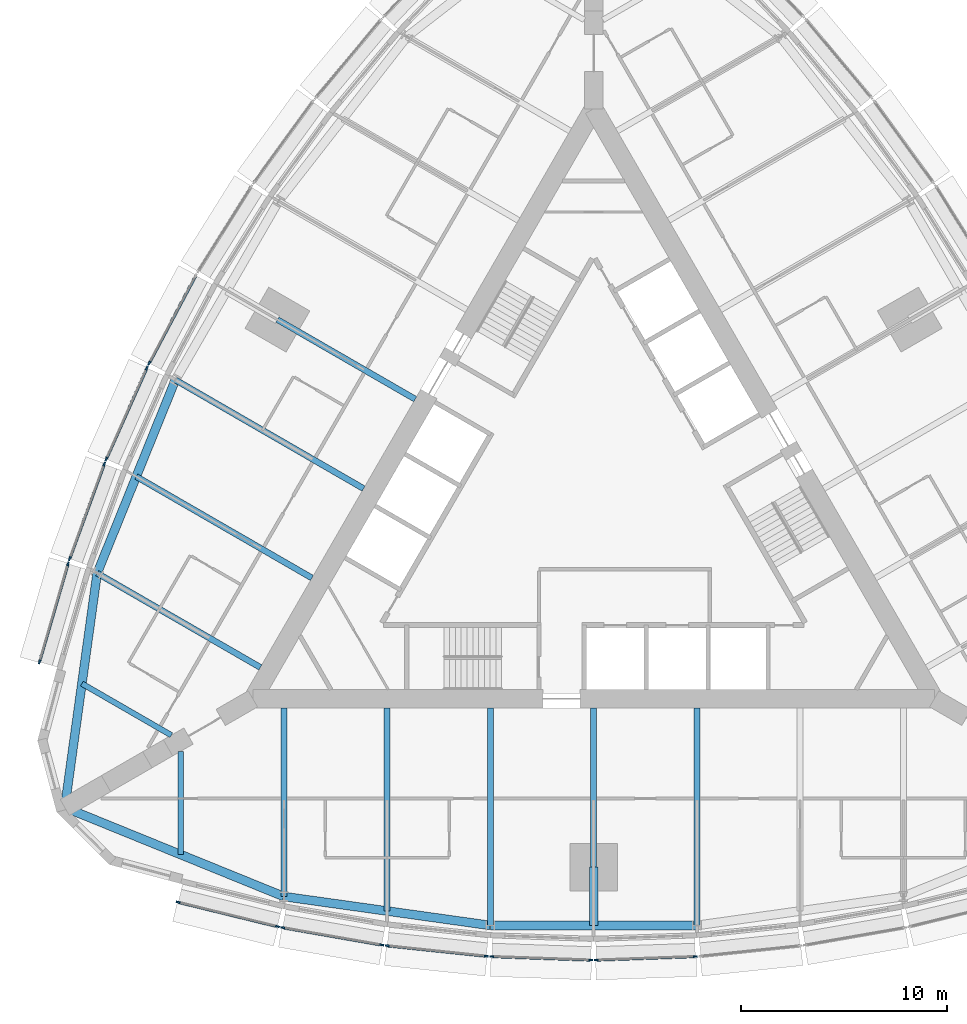
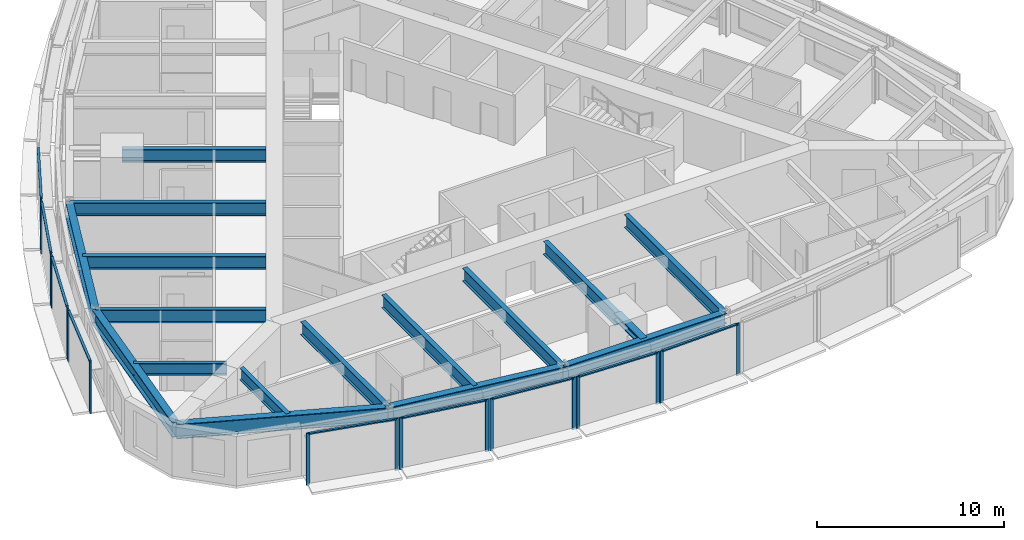
# One storey, part 2 of 14: 26 members, 17 beams, 9 elements without a shape of their own.
"""IFC4 building model written with IfcOpenShell, lengths in metres."""

from ifc_helpers import new_model, si_unit, direction, frame, origin, origin_2d, place, context, subcontext, project, spatial, rectangle, i_section, extrude, material, material_profile, profile_set, type_object, element, aggregate, save


model = new_model("IFC4")

# Units and contexts
model_context = context("Model", 3, precision=1e-05, world=origin(), true_north=direction((0.0, 1.0)))
body_context = subcontext(model_context, "Body", "Model", "MODEL_VIEW")
ifc_project = project(units=[si_unit("LENGTHUNIT", "METRE"), si_unit("AREAUNIT", "SQUARE_METRE"), si_unit("VOLUMEUNIT", "CUBIC_METRE"), si_unit("PLANEANGLEUNIT", "RADIAN"), si_unit("MASSUNIT", "GRAM", prefix="KILO")], contexts=[model_context])

# Site, building, storey
site_placement = place(None, origin())
site = spatial("IfcSite", under=ifc_project, at=site_placement, CompositionType="ELEMENT")
building_placement = place(site_placement, origin())
building = spatial("IfcBuilding", under=site, at=building_placement, Name="Trikona Tower", CompositionType="ELEMENT")
storey_placement = place(building_placement, frame((0.0, 0.0, 182.699951171875)))
storey = spatial("IfcBuildingStorey", under=building, at=storey_placement, Name="L49", CompositionType="ELEMENT", Elevation=182.699951171875)

# Curtain wall, members
ifc_material_1 = material(Name="Aluminium curtain wall system", Category="aluminium")
curtain_wall_type = type_object("IfcCurtainWallType", Name="Curtain wall DS2", PredefinedType="NOTDEFINED", material=ifc_material_1)
curtain_wall_1_placement = place(storey_placement, origin())
curtain_wall_1 = element("IfcCurtainWall", 1, at=curtain_wall_1_placement, inside=storey, type_object=curtain_wall_type, Name="Curtain wall DS2 L49", PredefinedType="NOTDEFINED")
ifc_material_2 = material(Name="Aluminium mullion, pale anodised", Category="aluminium")
ifc_material_profile_1 = material_profile(ifc_material_2, rectangle(XDim=0.080078125, YDim=0.199951171875, at=origin_2d()), Name="MUL-DS2")
ifc_profile_set_1 = profile_set([ifc_material_profile_1], Name="Aluminium mullion, pale anodised")
member_type_1 = type_object("IfcMemberType", Name="Mullion DS2 80x200", PredefinedType="MULLION", material=ifc_profile_set_1)
member_1_placement = place(storey_placement, frame((-20.116943359375, -19.373046875, 0.0), z_axis=(0.0, 0.0, 1.0), x_axis=(0.237970204243, 0.971272455026, 0.0)))
member_1 = element("IfcMember", 2, at=member_1_placement, type_object=member_type_1, Name="CW-DS2 mullion 1", PredefinedType="MULLION", context=body_context, shape_type="SweptSolid", body=[
    extrude(rectangle(XDim=0.080078125, YDim=0.199951171875, at=origin_2d()), origin(), (0.0, 0.0, 1.0), 3.400146484375),
])
member_2_placement = place(storey_placement, frame((-15.311279296875, -20.550537109375, 0.0), z_axis=(0.0, 0.0, 1.0), x_axis=(0.237970204243, 0.971272455026, 0.0)))
member_2 = element("IfcMember", 3, at=member_2_placement, type_object=member_type_1, Name="CW-DS2 mullion 2", PredefinedType="MULLION", context=body_context, shape_type="SweptSolid", body=[
    extrude(rectangle(XDim=0.080078125, YDim=0.199951171875, at=origin_2d()), origin(), (0.0, 0.0, 1.0), 3.400146484375),
])

curtain_wall_2_placement = place(storey_placement, origin())
curtain_wall_2 = element("IfcCurtainWall", 4, at=curtain_wall_2_placement, inside=storey, type_object=curtain_wall_type, Name="Curtain wall DS2 L49", PredefinedType="NOTDEFINED")
member_3_placement = place(storey_placement, frame((-15.056640625, -20.60400390625, 0.0), z_axis=(0.0, 0.0, 1.0), x_axis=(0.17237739505, 0.985030981074, 0.0)))
member_3 = element("IfcMember", 5, at=member_3_placement, type_object=member_type_1, Name="CW-DS2 mullion 1", PredefinedType="MULLION", context=body_context, shape_type="SweptSolid", body=[
    extrude(rectangle(XDim=0.080078125, YDim=0.199951171875, at=origin_2d()), origin(), (0.0, 0.0, 1.0), 3.400146484375),
])
member_4_placement = place(storey_placement, frame((-10.253662109375, -21.444580078125, 0.0), z_axis=(0.0, 0.0, 1.0), x_axis=(0.17237739505, 0.985030981074, 0.0)))
member_4 = element("IfcMember", 6, at=member_4_placement, type_object=member_type_1, Name="CW-DS2 mullion 2", PredefinedType="MULLION", context=body_context, shape_type="SweptSolid", body=[
    extrude(rectangle(XDim=0.080078125, YDim=0.199951171875, at=origin_2d()), origin(), (0.0, 0.0, 1.0), 3.400146484375),
])

curtain_wall_3_placement = place(storey_placement, origin())
curtain_wall_3 = element("IfcCurtainWall", 7, at=curtain_wall_3_placement, inside=storey, type_object=curtain_wall_type, Name="Curtain wall DS2 L49", PredefinedType="NOTDEFINED")
member_5_placement = place(storey_placement, frame((-9.99462890625, -21.480712890625, 0.0), z_axis=(0.0, 0.0, 1.0), x_axis=(0.104433387357, 0.994531883654, 0.0)))
member_5 = element("IfcMember", 8, at=member_5_placement, type_object=member_type_1, Name="CW-DS2 mullion 1", PredefinedType="MULLION", context=body_context, shape_type="SweptSolid", body=[
    extrude(rectangle(XDim=0.080078125, YDim=0.199951171875, at=origin_2d()), origin(), (0.0, 0.0, 1.0), 3.400146484375),
])
member_6_placement = place(storey_placement, frame((-5.193359375, -21.98486328125, 0.0), z_axis=(0.0, 0.0, 1.0), x_axis=(0.104433387357, 0.994531883654, 0.0)))
member_6 = element("IfcMember", 9, at=member_6_placement, type_object=member_type_1, Name="CW-DS2 mullion 2", PredefinedType="MULLION", context=body_context, shape_type="SweptSolid", body=[
    extrude(rectangle(XDim=0.080078125, YDim=0.199951171875, at=origin_2d()), origin(), (0.0, 0.0, 1.0), 3.400146484375),
])

curtain_wall_4_placement = place(storey_placement, origin())
curtain_wall_4 = element("IfcCurtainWall", 10, at=curtain_wall_4_placement, inside=storey, type_object=curtain_wall_type, Name="Curtain wall DS2 L49", PredefinedType="NOTDEFINED")
member_7_placement = place(storey_placement, frame((-4.931640625, -22.003173828125, 0.0), z_axis=(0.0, 0.0, 1.0), x_axis=(0.034998320052, 0.99938737114, 0.0)))
member_7 = element("IfcMember", 11, at=member_7_placement, type_object=member_type_1, Name="CW-DS2 mullion 1", PredefinedType="MULLION", context=body_context, shape_type="SweptSolid", body=[
    extrude(rectangle(XDim=0.080078125, YDim=0.199951171875, at=origin_2d()), origin(), (0.0, 0.0, 1.0), 3.400146484375),
])
member_8_placement = place(storey_placement, frame((-0.13134765625, -22.171142578125, 0.0), z_axis=(0.0, 0.0, 1.0), x_axis=(0.034998320052, 0.99938737114, 0.0)))
member_8 = element("IfcMember", 12, at=member_8_placement, type_object=member_type_1, Name="CW-DS2 mullion 2", PredefinedType="MULLION", context=body_context, shape_type="SweptSolid", body=[
    extrude(rectangle(XDim=0.080078125, YDim=0.199951171875, at=origin_2d()), origin(), (0.0, 0.0, 1.0), 3.400146484375),
])

curtain_wall_5_placement = place(storey_placement, origin())
curtain_wall_5 = element("IfcCurtainWall", 13, at=curtain_wall_5_placement, inside=storey, type_object=curtain_wall_type, Name="Curtain wall DS2 L49", PredefinedType="NOTDEFINED")
member_9_placement = place(storey_placement, frame((0.13134765625, -22.171142578125, 0.0), z_axis=(0.0, 0.0, 1.0), x_axis=(-0.034998320052, 0.99938737114, 0.0)))
member_9 = element("IfcMember", 14, at=member_9_placement, type_object=member_type_1, Name="CW-DS2 mullion 1", PredefinedType="MULLION", context=body_context, shape_type="SweptSolid", body=[
    extrude(rectangle(XDim=0.080078125, YDim=0.199951171875, at=origin_2d()), origin(), (0.0, 0.0, 1.0), 3.400146484375),
])
member_10_placement = place(storey_placement, frame((4.931640625, -22.003173828125, 0.0), z_axis=(0.0, 0.0, 1.0), x_axis=(-0.034998320052, 0.99938737114, 0.0)))
member_10 = element("IfcMember", 15, at=member_10_placement, type_object=member_type_1, Name="CW-DS2 mullion 2", PredefinedType="MULLION", context=body_context, shape_type="SweptSolid", body=[
    extrude(rectangle(XDim=0.080078125, YDim=0.199951171875, at=origin_2d()), origin(), (0.0, 0.0, 1.0), 3.400146484375),
])

# Curtain wall, member
curtain_wall_6_placement = place(storey_placement, origin())
curtain_wall_6 = element("IfcCurtainWall", 16, at=curtain_wall_6_placement, inside=storey, type_object=curtain_wall_type, Name="Curtain wall DS2 L49", PredefinedType="NOTDEFINED")
member_11_placement = place(storey_placement, frame((-21.52099609375, 6.730712890625, 0.0), z_axis=(0.0, 0.0, 1.0), x_axis=(0.882996107343, -0.469380308937, 0.0)))
member_11 = element("IfcMember", 17, at=member_11_placement, type_object=member_type_1, Name="CW-DS2 mullion 2", PredefinedType="MULLION", context=body_context, shape_type="SweptSolid", body=[
    extrude(rectangle(XDim=0.080078125, YDim=0.199951171875, at=origin_2d()), origin(), (0.0, 0.0, 1.0), 3.400146484375),
])

# Curtain wall, members
curtain_wall_7_placement = place(storey_placement, origin())
curtain_wall_7 = element("IfcCurtainWall", 18, at=curtain_wall_7_placement, inside=storey, type_object=curtain_wall_type, Name="Curtain wall DS2 L49", PredefinedType="NOTDEFINED")
member_12_placement = place(storey_placement, frame((-21.63623046875, 6.494873046875, 0.0), z_axis=(0.0, 0.0, 1.0), x_axis=(0.913501208767, -0.406836013132, 0.0)))
member_12 = element("IfcMember", 19, at=member_12_placement, type_object=member_type_1, Name="CW-DS2 mullion 1", PredefinedType="MULLION", context=body_context, shape_type="SweptSolid", body=[
    extrude(rectangle(XDim=0.080078125, YDim=0.199951171875, at=origin_2d()), origin(), (0.0, 0.0, 1.0), 3.400146484375),
])
member_13_placement = place(storey_placement, frame((-23.60009765625, 2.0849609375, 0.0), z_axis=(0.0, 0.0, 1.0), x_axis=(0.913501208767, -0.406836013132, 0.0)))
member_13 = element("IfcMember", 20, at=member_13_placement, type_object=member_type_1, Name="CW-DS2 mullion 2", PredefinedType="MULLION", context=body_context, shape_type="SweptSolid", body=[
    extrude(rectangle(XDim=0.080078125, YDim=0.199951171875, at=origin_2d()), origin(), (0.0, 0.0, 1.0), 3.400146484375),
])

curtain_wall_8_placement = place(storey_placement, origin())
curtain_wall_8 = element("IfcCurtainWall", 21, at=curtain_wall_8_placement, inside=storey, type_object=curtain_wall_type, Name="Curtain wall DS2 L49", PredefinedType="NOTDEFINED")
member_14_placement = place(storey_placement, frame((-23.6982421875, 1.84228515625, 0.0), z_axis=(0.0, 0.0, 1.0), x_axis=(0.939253790978, -0.343223420143, 0.0)))
member_14 = element("IfcMember", 22, at=member_14_placement, type_object=member_type_1, Name="CW-DS2 mullion 1", PredefinedType="MULLION", context=body_context, shape_type="SweptSolid", body=[
    extrude(rectangle(XDim=0.080078125, YDim=0.199951171875, at=origin_2d()), origin(), (0.0, 0.0, 1.0), 3.400146484375),
])
member_15_placement = place(storey_placement, frame((-25.371826171875, -2.737548828125, 0.0), z_axis=(0.0, 0.0, 1.0), x_axis=(0.939253790978, -0.343223420143, 0.0)))
member_15 = element("IfcMember", 23, at=member_15_placement, type_object=member_type_1, Name="CW-DS2 mullion 2", PredefinedType="MULLION", context=body_context, shape_type="SweptSolid", body=[
    extrude(rectangle(XDim=0.080078125, YDim=0.199951171875, at=origin_2d()), origin(), (0.0, 0.0, 1.0), 3.400146484375),
])

curtain_wall_9_placement = place(storey_placement, origin())
curtain_wall_9 = element("IfcCurtainWall", 24, at=curtain_wall_9_placement, inside=storey, type_object=curtain_wall_type, Name="Curtain wall DS2 L49", PredefinedType="NOTDEFINED")
member_16_placement = place(storey_placement, frame((-25.452880859375, -2.984619140625, 0.0), z_axis=(0.0, 0.0, 1.0), x_axis=(0.96013310152, -0.279543247757, 0.0)))
member_16 = element("IfcMember", 25, at=member_16_placement, type_object=member_type_1, Name="CW-DS2 mullion 1", PredefinedType="MULLION", context=body_context, shape_type="SweptSolid", body=[
    extrude(rectangle(XDim=0.080078125, YDim=0.199951171875, at=origin_2d()), origin(), (0.0, 0.0, 1.0), 3.400146484375),
])
member_17_placement = place(storey_placement, frame((-26.836181640625, -7.7353515625, 0.0), z_axis=(0.0, 0.0, 1.0), x_axis=(0.96013310152, -0.279543247757, 0.0)))
member_17 = element("IfcMember", 26, at=member_17_placement, type_object=member_type_1, Name="CW-DS2 mullion 2", PredefinedType="MULLION", context=body_context, shape_type="SweptSolid", body=[
    extrude(rectangle(XDim=0.080078125, YDim=0.199951171875, at=origin_2d()), origin(), (0.0, 0.0, 1.0), 3.400146484375),
])

# Beams
ifc_material_3 = material(Name="Steel ASTM A992 Grade 50", Category="steel")
ifc_material_profile_2 = material_profile(ifc_material_3, i_section(OverallWidth=0.419189453125, OverallDepth=0.45458984375, WebThickness=0.042236328125, FlangeThickness=0.067626953125, at=origin_2d()), Name="W14X370")
ifc_profile_set_2 = profile_set([ifc_material_profile_2], Name="Steel ASTM A992 Grade 50")
beam_type_1 = type_object("IfcBeamType", Name="Steel beam W14x370 (apex bracket)", PredefinedType="BEAM", material=ifc_profile_set_2)
beam_1_placement = place(storey_placement, frame((0.0, -17.680419921875, 3.0078125), z_axis=(0.0, -1.0, 0.0), x_axis=(1.0, 0.0, 0.0)))
element("IfcBeam", 27, at=beam_1_placement, inside=storey, type_object=beam_type_1, Name="Cantilever bracket L50 F1", PredefinedType="BEAM", context=body_context, shape_type="SweptSolid", body=[
    extrude(i_section(OverallWidth=0.419189453125, OverallDepth=0.45458984375, WebThickness=0.042236328125, FlangeThickness=0.067626953125, at=origin_2d()), origin(), (0.0, 0.0, 1.0), 2.81982421875),
])
ifc_material_4 = material(Name="Steel ASTM A992 Grade 50", Category="steel")
ifc_material_profile_3 = material_profile(ifc_material_4, i_section(OverallWidth=0.2666015625, OverallDepth=0.76953125, WebThickness=0.015625, FlangeThickness=0.025390625, at=origin_2d()), Name="W30X132")
ifc_profile_set_3 = profile_set([ifc_material_profile_3], Name="Steel ASTM A992 Grade 50")
beam_type_2 = type_object("IfcBeamType", Name="Steel beam W30x132 (wedge)", PredefinedType="BEAM", material=ifc_profile_set_3)
beam_2_placement = place(storey_placement, frame((-20.0, -12.066650390625, 2.850341796875), z_axis=(0.0, -1.0, 0.0), x_axis=(1.0, 0.0, 0.0)))
element("IfcBeam", 28, at=beam_2_placement, inside=storey, type_object=beam_type_2, Name="Floor beam L50 F1 u-20", PredefinedType="BEAM", context=body_context, shape_type="SweptSolid", body=[
    extrude(i_section(OverallWidth=0.2666015625, OverallDepth=0.76953125, WebThickness=0.015625, FlangeThickness=0.025390625, at=origin_2d()), origin(), (0.0, 0.0, 1.0), 5.00048828125),
])
beam_3_placement = place(storey_placement, frame((-20.449951171875, -11.287109375, 2.850341796875), z_axis=(-0.866038434829, 0.49997742889, 0.0), x_axis=(-0.49997742889, -0.866038434829, 0.0)))
element("IfcBeam", 29, at=beam_3_placement, inside=storey, type_object=beam_type_2, Name="Floor beam L50 F3 u20", PredefinedType="BEAM", context=body_context, shape_type="SweptSolid", body=[
    extrude(i_section(OverallWidth=0.2666015625, OverallDepth=0.76953125, WebThickness=0.015625, FlangeThickness=0.025390625, at=origin_2d()), origin(), (0.0, 0.0, 1.0), 5.000732421875),
])
ifc_material_5 = material(Name="Steel ASTM A992 Grade 50", Category="steel")
ifc_material_profile_4 = material_profile(ifc_material_5, i_section(OverallWidth=0.2919921875, OverallDepth=0.845703125, WebThickness=0.015380859375, FlangeThickness=0.0244140625, at=origin_2d()), Name="W33X141")
ifc_profile_set_4 = profile_set([ifc_material_profile_4], Name="Steel ASTM A992 Grade 50")
beam_type_3 = type_object("IfcBeamType", Name="Steel beam W33x141 (radial typ)", PredefinedType="BEAM", material=ifc_profile_set_4)
beam_4_placement = place(storey_placement, frame((-15.0, -9.976318359375, 2.812255859375), z_axis=(0.0, -1.0, 0.0), x_axis=(1.0, 0.0, 0.0)))
element("IfcBeam", 30, at=beam_4_placement, inside=storey, type_object=beam_type_3, Name="Floor beam L50 F1 u-15", PredefinedType="BEAM", context=body_context, shape_type="SweptSolid", body=[
    extrude(i_section(OverallWidth=0.2919921875, OverallDepth=0.845703125, WebThickness=0.015380859375, FlangeThickness=0.0244140625, at=origin_2d()), origin(), (0.0, 0.0, 1.0), 9.123779296875),
])
beam_5_placement = place(storey_placement, frame((-10.0, -9.976318359375, 2.812255859375), z_axis=(0.0, -1.0, 0.0), x_axis=(1.0, 0.0, 0.0)))
element("IfcBeam", 31, at=beam_5_placement, inside=storey, type_object=beam_type_3, Name="Floor beam L50 F1 u-10", PredefinedType="BEAM", context=body_context, shape_type="SweptSolid", body=[
    extrude(i_section(OverallWidth=0.2919921875, OverallDepth=0.845703125, WebThickness=0.015380859375, FlangeThickness=0.0244140625, at=origin_2d()), origin(), (0.0, 0.0, 1.0), 9.823974609375),
])
beam_6_placement = place(storey_placement, frame((-5.0, -9.976318359375, 2.812255859375), z_axis=(0.0, -1.0, 0.0), x_axis=(1.0, 0.0, 0.0)))
element("IfcBeam", 32, at=beam_6_placement, inside=storey, type_object=beam_type_3, Name="Floor beam L50 F1 u-5", PredefinedType="BEAM", context=body_context, shape_type="SweptSolid", body=[
    extrude(i_section(OverallWidth=0.2919921875, OverallDepth=0.845703125, WebThickness=0.015380859375, FlangeThickness=0.0244140625, at=origin_2d()), origin(), (0.0, 0.0, 1.0), 10.52392578125),
])
beam_7_placement = place(storey_placement, frame((0.0, -9.976318359375, 2.812255859375), z_axis=(0.0, -1.0, 0.0), x_axis=(1.0, 0.0, 0.0)))
element("IfcBeam", 33, at=beam_7_placement, inside=storey, type_object=beam_type_3, Name="Floor beam L50 F1 u0", PredefinedType="BEAM", context=body_context, shape_type="SweptSolid", body=[
    extrude(i_section(OverallWidth=0.2919921875, OverallDepth=0.845703125, WebThickness=0.015380859375, FlangeThickness=0.0244140625, at=origin_2d()), origin(), (0.0, 0.0, 1.0), 7.7041015625),
])
beam_8_placement = place(storey_placement, frame((5.0, -9.976318359375, 2.812255859375), z_axis=(0.0, -1.0, 0.0), x_axis=(1.0, 0.0, 0.0)))
element("IfcBeam", 34, at=beam_8_placement, inside=storey, type_object=beam_type_3, Name="Floor beam L50 F1 u5", PredefinedType="BEAM", context=body_context, shape_type="SweptSolid", body=[
    extrude(i_section(OverallWidth=0.2919921875, OverallDepth=0.845703125, WebThickness=0.015380859375, FlangeThickness=0.0244140625, at=origin_2d()), origin(), (0.0, 0.0, 1.0), 10.52392578125),
])
beam_9_placement = place(storey_placement, frame((-8.6396484375, 4.988037109375, 2.812255859375), z_axis=(-0.866017246294, 0.500014128921, 0.0), x_axis=(-0.500014128921, -0.866017246294, 0.0)))
element("IfcBeam", 35, at=beam_9_placement, inside=storey, type_object=beam_type_3, Name="Floor beam L50 F3 u0", PredefinedType="BEAM", context=body_context, shape_type="SweptSolid", body=[
    extrude(i_section(OverallWidth=0.2919921875, OverallDepth=0.845703125, WebThickness=0.015380859375, FlangeThickness=0.0244140625, at=origin_2d()), origin(), (0.0, 0.0, 1.0), 7.704345703125),
])
beam_10_placement = place(storey_placement, frame((-11.1396484375, 0.657958984375, 2.812255859375), z_axis=(-0.866026035623, 0.499998905622, 0.0), x_axis=(-0.499998905622, -0.866026035623, 0.0)))
element("IfcBeam", 36, at=beam_10_placement, inside=storey, type_object=beam_type_3, Name="Floor beam L50 F3 u5", PredefinedType="BEAM", context=body_context, shape_type="SweptSolid", body=[
    extrude(i_section(OverallWidth=0.2919921875, OverallDepth=0.845703125, WebThickness=0.015380859375, FlangeThickness=0.0244140625, at=origin_2d()), origin(), (0.0, 0.0, 1.0), 10.52392578125),
])
beam_11_placement = place(storey_placement, frame((-13.6396484375, -3.672119140625, 2.812255859375), z_axis=(-0.866020046725, 0.500009278584, 0.0), x_axis=(-0.500009278584, -0.866020046725, 0.0)))
element("IfcBeam", 37, at=beam_11_placement, inside=storey, type_object=beam_type_3, Name="Floor beam L50 F3 u10", PredefinedType="BEAM", context=body_context, shape_type="SweptSolid", body=[
    extrude(i_section(OverallWidth=0.2919921875, OverallDepth=0.845703125, WebThickness=0.015380859375, FlangeThickness=0.0244140625, at=origin_2d()), origin(), (0.0, 0.0, 1.0), 9.823974609375),
])
beam_12_placement = place(storey_placement, frame((-16.1396484375, -8.002197265625, 2.812255859375), z_axis=(-0.866024725532, 0.500001174766, 0.0), x_axis=(-0.500001174766, -0.866024725532, 0.0)))
element("IfcBeam", 38, at=beam_12_placement, inside=storey, type_object=beam_type_3, Name="Floor beam L50 F3 u15", PredefinedType="BEAM", context=body_context, shape_type="SweptSolid", body=[
    extrude(i_section(OverallWidth=0.2919921875, OverallDepth=0.845703125, WebThickness=0.015380859375, FlangeThickness=0.0244140625, at=origin_2d()), origin(), (0.0, 0.0, 1.0), 9.1240234375),
])
ifc_material_6 = material(Name="Steel ASTM A992 Grade 50", Category="steel")
ifc_material_profile_5 = material_profile(ifc_material_6, i_section(OverallWidth=0.424072265625, OverallDepth=0.947509765625, WebThickness=0.02392578125, FlangeThickness=0.042724609375, at=origin_2d()), Name="W36X302")
ifc_profile_set_5 = profile_set([ifc_material_profile_5], Name="Steel ASTM A992 Grade 50")
beam_type_4 = type_object("IfcBeamType", Name="Steel beam W36x302 (spandrel)", PredefinedType="SPANDREL", material=ifc_profile_set_5)
beam_13_placement = place(storey_placement, frame((-25.6103515625, -14.7861328125, 2.76123046875), z_axis=(0.926359695662, -0.376640032728, 0.0), x_axis=(0.376640032728, 0.926359695662, 0.0)))
element("IfcBeam", 39, at=beam_13_placement, inside=storey, type_object=beam_type_4, Name="Spandrel beam L50 F1-1", PredefinedType="SPANDREL", context=body_context, shape_type="SweptSolid", body=[
    extrude(i_section(OverallWidth=0.424072265625, OverallDepth=0.947509765625, WebThickness=0.02392578125, FlangeThickness=0.042724609375, at=origin_2d()), origin(), (0.0, 0.0, 1.0), 11.453857421875),
])
beam_14_placement = place(storey_placement, frame((-15.0, -19.10009765625, 2.76123046875), z_axis=(0.990339754644, -0.13866207258, 0.0), x_axis=(0.13866207258, 0.990339754644, 0.0)))
element("IfcBeam", 40, at=beam_14_placement, inside=storey, type_object=beam_type_4, Name="Spandrel beam L50 F1-2", PredefinedType="SPANDREL", context=body_context, shape_type="SweptSolid", body=[
    extrude(i_section(OverallWidth=0.424072265625, OverallDepth=0.947509765625, WebThickness=0.02392578125, FlangeThickness=0.042724609375, at=origin_2d()), origin(), (0.0, 0.0, 1.0), 10.09765625),
])
beam_15_placement = place(storey_placement, frame((-5.0, -20.500244140625, 2.76123046875), z_axis=(1.0, 0.0, 0.0), x_axis=(0.0, 1.0, 0.0)))
element("IfcBeam", 41, at=beam_15_placement, inside=storey, type_object=beam_type_4, Name="Spandrel beam L50 F1-3", PredefinedType="SPANDREL", context=body_context, shape_type="SweptSolid", body=[
    extrude(i_section(OverallWidth=0.424072265625, OverallDepth=0.947509765625, WebThickness=0.02392578125, FlangeThickness=0.042724609375, at=origin_2d()), origin(), (0.0, 0.0, 1.0), 10.0),
])
beam_16_placement = place(storey_placement, frame((-20.253662109375, 5.919921875, 2.76123046875), z_axis=(-0.375106193787, -0.926981846307, 0.0), x_axis=(0.926981846307, -0.375106193787, 0.0)))
element("IfcBeam", 42, at=beam_16_placement, inside=storey, type_object=beam_type_4, Name="Spandrel beam L50 F3-4", PredefinedType="SPANDREL", context=body_context, shape_type="SweptSolid", body=[
    extrude(i_section(OverallWidth=0.424072265625, OverallDepth=0.947509765625, WebThickness=0.02392578125, FlangeThickness=0.042724609375, at=origin_2d()), origin(), (0.0, 0.0, 1.0), 10.097412109375),
])
beam_17_placement = place(storey_placement, frame((-24.041259765625, -3.440185546875, 2.76123046875), z_axis=(-0.136991535842, -0.990572218017, 0.0), x_axis=(0.990572218017, -0.136991535842, 0.0)))
element("IfcBeam", 43, at=beam_17_placement, inside=storey, type_object=beam_type_4, Name="Spandrel beam L50 F3-5", PredefinedType="SPANDREL", context=body_context, shape_type="SweptSolid", body=[
    extrude(i_section(OverallWidth=0.424072265625, OverallDepth=0.947509765625, WebThickness=0.02392578125, FlangeThickness=0.042724609375, at=origin_2d()), origin(), (0.0, 0.0, 1.0), 11.453857421875),
])

# Member
ifc_material_7 = material(Name="Aluminium transom, pale anodised", Category="aluminium")
ifc_material_profile_6 = material_profile(ifc_material_7, rectangle(XDim=0.139892578125, YDim=0.080078125, at=origin_2d()), Name="TRN-DS2")
ifc_profile_set_6 = profile_set([ifc_material_profile_6], Name="Aluminium transom, pale anodised")
member_type_2 = type_object("IfcMemberType", Name="Transom DS2 80x140", PredefinedType="USERDEFINED", material=ifc_profile_set_6)
member_18_placement = place(storey_placement, frame((-20.078125, -19.382568359375, 3.360107421875), z_axis=(0.971270583303, -0.237977843528, 0.0), x_axis=(0.237977843528, 0.971270583303, 0.0)))
member_18 = element("IfcMember", 44, at=member_18_placement, type_object=member_type_2, Name="CW-DS2 transom 1.1", ObjectType="TRANSOM", PredefinedType="USERDEFINED", context=body_context, shape_type="SweptSolid", body=[
    extrude(rectangle(XDim=0.139892578125, YDim=0.080078125, at=origin_2d()), origin(), (0.0, 0.0, 1.0), 4.867919921875),
])

aggregate(curtain_wall_1, [member_1, member_2, member_18])

member_19_placement = place(storey_placement, frame((-15.01708984375, -20.61083984375, 3.360107421875), z_axis=(0.98503262804, -0.172367983387, 0.0), x_axis=(0.172367983387, 0.98503262804, 0.0)))
member_19 = element("IfcMember", 45, at=member_19_placement, type_object=member_type_2, Name="CW-DS2 transom 1.1", ObjectType="TRANSOM", PredefinedType="USERDEFINED", context=body_context, shape_type="SweptSolid", body=[
    extrude(rectangle(XDim=0.139892578125, YDim=0.080078125, at=origin_2d()), origin(), (0.0, 0.0, 1.0), 4.7958984375),
])

aggregate(curtain_wall_2, [member_3, member_4, member_19])

member_20_placement = place(storey_placement, frame((-9.954833984375, -21.48486328125, 3.360107421875), z_axis=(0.99453106441, -0.104441188822, 0.0), x_axis=(0.104441188822, 0.99453106441, 0.0)))
member_20 = element("IfcMember", 46, at=member_20_placement, type_object=member_type_2, Name="CW-DS2 transom 1.1", ObjectType="TRANSOM", PredefinedType="USERDEFINED", context=body_context, shape_type="SweptSolid", body=[
    extrude(rectangle(XDim=0.139892578125, YDim=0.080078125, at=origin_2d()), origin(), (0.0, 0.0, 1.0), 4.74755859375),
])

aggregate(curtain_wall_3, [member_5, member_6, member_20])

member_21_placement = place(storey_placement, frame((-4.8916015625, -22.00439453125, 3.360107421875), z_axis=(0.999385692759, -0.035046213908, 0.0), x_axis=(0.035046213908, 0.999385692759, 0.0)))
member_21 = element("IfcMember", 47, at=member_21_placement, type_object=member_type_2, Name="CW-DS2 transom 1.1", ObjectType="TRANSOM", PredefinedType="USERDEFINED", context=body_context, shape_type="SweptSolid", body=[
    extrude(rectangle(XDim=0.139892578125, YDim=0.080078125, at=origin_2d()), origin(), (0.0, 0.0, 1.0), 4.72314453125),
])

aggregate(curtain_wall_4, [member_7, member_8, member_21])

member_22_placement = place(storey_placement, frame((0.17138671875, -22.169921875, 3.360107421875), z_axis=(0.999385692759, 0.035046213908, 0.0), x_axis=(-0.035046213908, 0.999385692759, 0.0)))
member_22 = element("IfcMember", 48, at=member_22_placement, type_object=member_type_2, Name="CW-DS2 transom 1.1", ObjectType="TRANSOM", PredefinedType="USERDEFINED", context=body_context, shape_type="SweptSolid", body=[
    extrude(rectangle(XDim=0.139892578125, YDim=0.080078125, at=origin_2d()), origin(), (0.0, 0.0, 1.0), 4.72314453125),
])

aggregate(curtain_wall_5, [member_9, member_10, member_22])

member_23_placement = place(storey_placement, frame((-19.285400390625, 10.9365234375, 3.360107421875), z_axis=(-0.469364343408, -0.883004594063, 0.0), x_axis=(0.883004594063, -0.469364343408, 0.0)))
member_23 = element("IfcMember", 49, at=member_23_placement, type_object=member_type_2, Name="CW-DS2 transom 1.1", ObjectType="TRANSOM", PredefinedType="USERDEFINED", context=body_context, shape_type="SweptSolid", body=[
    extrude(rectangle(XDim=0.139892578125, YDim=0.080078125, at=origin_2d()), origin(), (0.0, 0.0, 1.0), 4.722900390625),
])

aggregate(curtain_wall_6, [member_11, member_23])

member_24_placement = place(storey_placement, frame((-21.65234375, 6.458251953125, 3.360107421875), z_axis=(-0.406839769607, -0.913499535778, 0.0), x_axis=(0.913499535778, -0.406839769607, 0.0)))
member_24 = element("IfcMember", 50, at=member_24_placement, type_object=member_type_2, Name="CW-DS2 transom 1.1", ObjectType="TRANSOM", PredefinedType="USERDEFINED", context=body_context, shape_type="SweptSolid", body=[
    extrude(rectangle(XDim=0.139892578125, YDim=0.080078125, at=origin_2d()), origin(), (0.0, 0.0, 1.0), 4.747314453125),
])

aggregate(curtain_wall_7, [member_12, member_13, member_24])

member_25_placement = place(storey_placement, frame((-23.712158203125, 1.8046875, 3.360107421875), z_axis=(-0.343205907674, -0.939260190223, 0.0), x_axis=(0.939260190223, -0.343205907674, 0.0)))
member_25 = element("IfcMember", 51, at=member_25_placement, type_object=member_type_2, Name="CW-DS2 transom 1.1", ObjectType="TRANSOM", PredefinedType="USERDEFINED", context=body_context, shape_type="SweptSolid", body=[
    extrude(rectangle(XDim=0.139892578125, YDim=0.080078125, at=origin_2d()), origin(), (0.0, 0.0, 1.0), 4.7958984375),
])

aggregate(curtain_wall_8, [member_14, member_15, member_25])

member_26_placement = place(storey_placement, frame((-25.464111328125, -3.023193359375, 3.360107421875), z_axis=(-0.279566628153, -0.960126293996, 0.0), x_axis=(0.960126293996, -0.279566628153, 0.0)))
member_26 = element("IfcMember", 52, at=member_26_placement, type_object=member_type_2, Name="CW-DS2 transom 1.1", ObjectType="TRANSOM", PredefinedType="USERDEFINED", context=body_context, shape_type="SweptSolid", body=[
    extrude(rectangle(XDim=0.139892578125, YDim=0.080078125, at=origin_2d()), origin(), (0.0, 0.0, 1.0), 4.86767578125),
])

aggregate(curtain_wall_9, [member_16, member_17, member_26])

save(model, "model.ifc")
